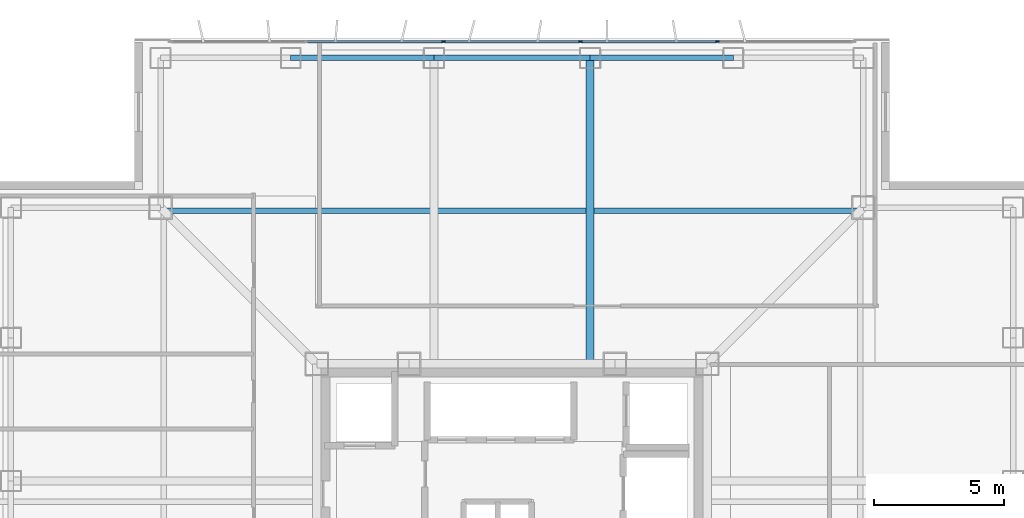
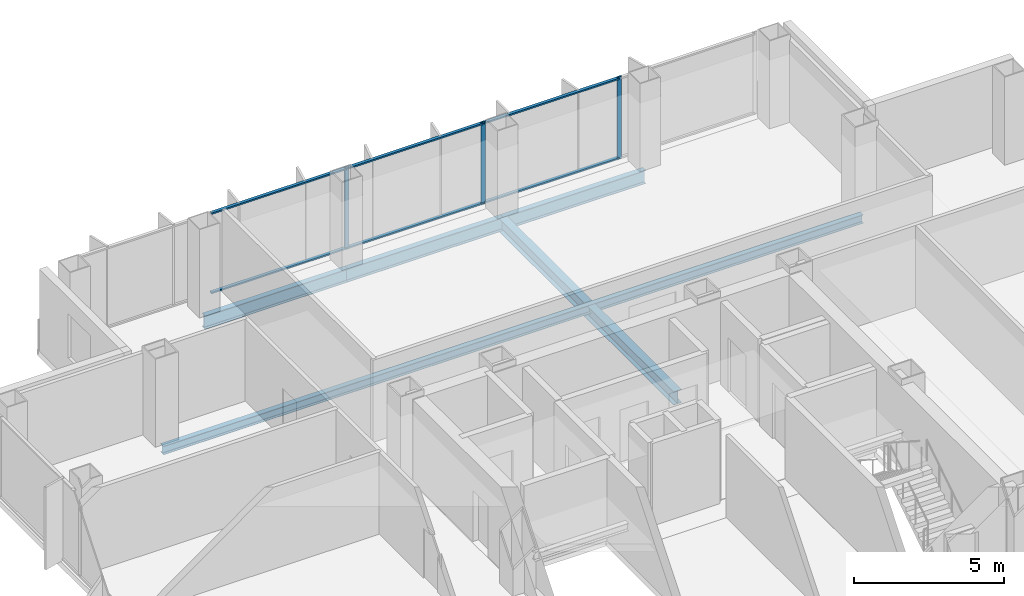
# One storey, part 8 of 15: 9 members, 5 beams, 1 element without a shape of its own.
"""IFC4 building model written with IfcOpenShell, lengths in metres."""

from ifc_helpers import new_model, si_unit, direction, frame, origin, origin_2d, place, context, subcontext, project, spatial, rectangle, i_section, extrude, material, layer, layer_set, material_profile, profile_set, type_object, element, aggregate, save


model = new_model("IFC4")

# Units and contexts
model_context = context("Model", 3, precision=1e-05, world=origin(), true_north=direction((0.0, 1.0)))
body_context = subcontext(model_context, "Body", "Model", "MODEL_VIEW")
ifc_project = project(units=[si_unit("LENGTHUNIT", "METRE"), si_unit("AREAUNIT", "SQUARE_METRE"), si_unit("VOLUMEUNIT", "CUBIC_METRE"), si_unit("PLANEANGLEUNIT", "RADIAN"), si_unit("MASSUNIT", "GRAM", prefix="KILO")], contexts=[model_context])

# Site, building, storey
site_placement = place(None, origin())
site = spatial("IfcSite", under=ifc_project, at=site_placement, CompositionType="ELEMENT")
building_placement = place(site_placement, origin())
building = spatial("IfcBuilding", under=site, at=building_placement, Name="Trevonay Congress Spire", CompositionType="ELEMENT")
storey_placement = place(building_placement, frame((0.0, 0.0, 216.60009765625)))
storey = spatial("IfcBuildingStorey", under=building, at=storey_placement, Name="L56", CompositionType="ELEMENT", Elevation=216.60009765625)

# Beams
ifc_material_1 = material(Name="Steel ASTM A572 Grade 50", Category="steel")
ifc_material_profile_1 = material_profile(ifc_material_1, i_section(OverallWidth=0.31201171875, OverallDepth=0.54296875, WebThickness=0.0126953125, FlangeThickness=0.020263671875, FilletRadius=0.014892578125, at=origin_2d()), Name="W530x150")
ifc_profile_set_1 = profile_set([ifc_material_profile_1], Name="Steel ASTM A572 Grade 50")
beam_type_1 = type_object("IfcBeamType", Name="BM-GIRD-W530X150", PredefinedType="BEAM", material=ifc_profile_set_1)
beam_1_placement = place(storey_placement, frame((3.0, 7.5, -0.51171875), z_axis=(0.0, 1.0, 0.0), x_axis=(-1.0, 0.0, 0.0)))
element("IfcBeam", 1, at=beam_1_placement, inside=storey, type_object=beam_type_1, Name="L56 structural beam BM-L56-GN-P", PredefinedType="BEAM", context=body_context, shape_type="SweptSolid", body=[
    extrude(i_section(OverallWidth=0.31201171875, OverallDepth=0.54296875, WebThickness=0.0126953125, FlangeThickness=0.020263671875, FilletRadius=0.014892578125, at=origin_2d()), origin(), (0.0, 0.0, 1.0), 11.75),
])
ifc_material_profile_2 = material_profile(ifc_material_1, i_section(OverallWidth=0.2119140625, OverallDepth=0.5439453125, WebThickness=0.01318359375, FlangeThickness=0.021240234375, FilletRadius=0.014892578125, at=origin_2d()), Name="W530x123")
ifc_profile_set_2 = profile_set([ifc_material_profile_2], Name="Steel ASTM A572 Grade 50")
beam_type_2 = type_object("IfcBeamType", Name="BM-RING-W530X123", PredefinedType="BEAM", material=ifc_profile_set_2)
beam_2_placement = place(storey_placement, frame((-8.5, 19.25, -0.51220703125), z_axis=(1.0, 0.0, 0.0), x_axis=(0.0, 1.0, 0.0)))
element("IfcBeam", 2, at=beam_2_placement, inside=storey, type_object=beam_type_2, Name="L56 structural beam BM-L56-PN2", PredefinedType="BEAM", context=body_context, shape_type="SweptSolid", body=[
    extrude(i_section(OverallWidth=0.2119140625, OverallDepth=0.5439453125, WebThickness=0.01318359375, FlangeThickness=0.021240234375, FilletRadius=0.014892578125, at=origin_2d()), origin(), (0.0, 0.0, 1.0), 5.5),
])
beam_3_placement = place(storey_placement, frame((-3.0, 19.25, -0.51220703125), z_axis=(1.0, 0.0, 0.0), x_axis=(0.0, 1.0, 0.0)))
element("IfcBeam", 3, at=beam_3_placement, inside=storey, type_object=beam_type_2, Name="L56 structural beam BM-L56-PN3", PredefinedType="BEAM", context=body_context, shape_type="SweptSolid", body=[
    extrude(i_section(OverallWidth=0.2119140625, OverallDepth=0.5439453125, WebThickness=0.01318359375, FlangeThickness=0.021240234375, FilletRadius=0.014892578125, at=origin_2d()), origin(), (0.0, 0.0, 1.0), 6.0),
])
beam_4_placement = place(storey_placement, frame((3.0, 19.25, -0.51220703125), z_axis=(1.0, 0.0, 0.0), x_axis=(0.0, 1.0, 0.0)))
element("IfcBeam", 4, at=beam_4_placement, inside=storey, type_object=beam_type_2, Name="L56 structural beam BM-L56-PN4", PredefinedType="BEAM", context=body_context, shape_type="SweptSolid", body=[
    extrude(i_section(OverallWidth=0.2119140625, OverallDepth=0.5439453125, WebThickness=0.01318359375, FlangeThickness=0.021240234375, FilletRadius=0.014892578125, at=origin_2d()), origin(), (0.0, 0.0, 1.0), 5.5),
])

# Curtain wall, members
ifc_material_2 = material(Name="Pale Anodised Aluminium EN AW-6063-T6", Category="aluminium")
ifc_layer = layer(ifc_material_2, 0.169921875, Name="Pale Anodised Aluminium EN AW-6063-T6")
ifc_layer_set = layer_set([ifc_layer], Name="Pale Anodised Aluminium EN AW-6063-T6")
curtain_wall_type = type_object("IfcCurtainWallType", Name="CW-SYS04-CORP-PALE-METAL", PredefinedType="NOTDEFINED", material=ifc_layer_set)
curtain_wall_placement = place(storey_placement, origin())
curtain_wall = element("IfcCurtainWall", 5, at=curtain_wall_placement, inside=storey, type_object=curtain_wall_type, Name="L56 N unitised curtain wall", PredefinedType="NOTDEFINED")
ifc_material_profile_3 = material_profile(ifc_material_2, rectangle(XDim=0.06005859375, YDim=0.159912109375, at=origin_2d()), Name="CW-MULLION-160-ALUMINIUM")
ifc_profile_set_3 = profile_set([ifc_material_profile_3], Name="Pale Anodised Aluminium EN AW-6063-T6")
member_type_1 = type_object("IfcMemberType", Name="CW-MULLION-160-ALUMINIUM", PredefinedType="MULLION", material=ifc_profile_set_3)
member_1_placement = place(storey_placement, frame((-2.6298828125, 19.8798828125, 0.0), z_axis=(0.0, 0.0, 1.0), x_axis=(0.0, 1.0, 0.0)))
member_1 = element("IfcMember", 6, at=member_1_placement, type_object=member_type_1, Name="CW04 mullion 3", PredefinedType="MULLION", context=body_context, shape_type="SweptSolid", body=[
    extrude(rectangle(XDim=0.06005859375, YDim=0.159912109375, at=origin_2d()), origin(), (0.0, 0.0, 1.0), 3.35986328125),
])
member_2_placement = place(storey_placement, frame((2.6298828125, 19.8798828125, 0.0), z_axis=(0.0, 0.0, 1.0), x_axis=(0.0, 1.0, 0.0)))
member_2 = element("IfcMember", 7, at=member_2_placement, type_object=member_type_1, Name="CW04 mullion 4", PredefinedType="MULLION", context=body_context, shape_type="SweptSolid", body=[
    extrude(rectangle(XDim=0.06005859375, YDim=0.159912109375, at=origin_2d()), origin(), (0.0, 0.0, 1.0), 3.35986328125),
])
member_3_placement = place(storey_placement, frame((7.889892578125, 19.8798828125, 0.0), z_axis=(0.0, 0.0, 1.0), x_axis=(0.0, 1.0, 0.0)))
member_3 = element("IfcMember", 8, at=member_3_placement, type_object=member_type_1, Name="CW04 mullion 5", PredefinedType="MULLION", context=body_context, shape_type="SweptSolid", body=[
    extrude(rectangle(XDim=0.06005859375, YDim=0.159912109375, at=origin_2d()), origin(), (0.0, 0.0, 1.0), 3.35986328125),
])
ifc_material_profile_4 = material_profile(ifc_material_2, rectangle(XDim=0.1201171875, YDim=0.06005859375, at=origin_2d()), Name="CW-TRANSOM-120-ALUMINIUM")
ifc_profile_set_4 = profile_set([ifc_material_profile_4], Name="Pale Anodised Aluminium EN AW-6063-T6")
member_type_2 = type_object("IfcMemberType", Name="CW-TRANSOM-120-ALUMINIUM", PredefinedType="USERDEFINED", material=ifc_profile_set_4)
member_4_placement = place(storey_placement, frame((-7.860107421875, 19.8798828125, 0.059814453125), z_axis=(1.0, 0.0, 0.0), x_axis=(0.0, 1.0, 0.0)))
member_4 = element("IfcMember", 9, at=member_4_placement, type_object=member_type_2, Name="CW04 transom 2.1", ObjectType="TRANSOM", PredefinedType="USERDEFINED", context=body_context, shape_type="SweptSolid", body=[
    extrude(rectangle(XDim=0.1201171875, YDim=0.06005859375, at=origin_2d()), origin(), (0.0, 0.0, 1.0), 5.2001953125),
])
member_5_placement = place(storey_placement, frame((-7.860107421875, 19.8798828125, 3.2998046875), z_axis=(1.0, 0.0, 0.0), x_axis=(0.0, 1.0, 0.0)))
member_5 = element("IfcMember", 10, at=member_5_placement, type_object=member_type_2, Name="CW04 transom 2.2", ObjectType="TRANSOM", PredefinedType="USERDEFINED", context=body_context, shape_type="SweptSolid", body=[
    extrude(rectangle(XDim=0.1201171875, YDim=0.06005859375, at=origin_2d()), origin(), (0.0, 0.0, 1.0), 5.2001953125),
])
member_6_placement = place(storey_placement, frame((-2.60009765625, 19.8798828125, 0.059814453125), z_axis=(1.0, 0.0, 0.0), x_axis=(0.0, 1.0, 0.0)))
member_6 = element("IfcMember", 11, at=member_6_placement, type_object=member_type_2, Name="CW04 transom 3.1", ObjectType="TRANSOM", PredefinedType="USERDEFINED", context=body_context, shape_type="SweptSolid", body=[
    extrude(rectangle(XDim=0.1201171875, YDim=0.06005859375, at=origin_2d()), origin(), (0.0, 0.0, 1.0), 5.2001953125),
])
member_7_placement = place(storey_placement, frame((-2.60009765625, 19.8798828125, 3.2998046875), z_axis=(1.0, 0.0, 0.0), x_axis=(0.0, 1.0, 0.0)))
member_7 = element("IfcMember", 12, at=member_7_placement, type_object=member_type_2, Name="CW04 transom 3.2", ObjectType="TRANSOM", PredefinedType="USERDEFINED", context=body_context, shape_type="SweptSolid", body=[
    extrude(rectangle(XDim=0.1201171875, YDim=0.06005859375, at=origin_2d()), origin(), (0.0, 0.0, 1.0), 5.2001953125),
])
member_8_placement = place(storey_placement, frame((2.659912109375, 19.8798828125, 0.059814453125), z_axis=(1.0, 0.0, 0.0), x_axis=(0.0, 1.0, 0.0)))
member_8 = element("IfcMember", 13, at=member_8_placement, type_object=member_type_2, Name="CW04 transom 4.1", ObjectType="TRANSOM", PredefinedType="USERDEFINED", context=body_context, shape_type="SweptSolid", body=[
    extrude(rectangle(XDim=0.1201171875, YDim=0.06005859375, at=origin_2d()), origin(), (0.0, 0.0, 1.0), 5.2001953125),
])
member_9_placement = place(storey_placement, frame((2.659912109375, 19.8798828125, 3.2998046875), z_axis=(1.0, 0.0, 0.0), x_axis=(0.0, 1.0, 0.0)))
member_9 = element("IfcMember", 14, at=member_9_placement, type_object=member_type_2, Name="CW04 transom 4.2", ObjectType="TRANSOM", PredefinedType="USERDEFINED", context=body_context, shape_type="SweptSolid", body=[
    extrude(rectangle(XDim=0.1201171875, YDim=0.06005859375, at=origin_2d()), origin(), (0.0, 0.0, 1.0), 5.2001953125),
])
aggregate(curtain_wall, [member_1, member_2, member_3, member_4, member_5, member_6, member_7, member_8, member_9])

# Beam
ifc_material_profile_5 = material_profile(ifc_material_1, i_section(OverallWidth=0.205078125, OverallDepth=0.35400390625, WebThickness=0.009521484375, FlangeThickness=0.016845703125, FilletRadius=0.011962890625, at=origin_2d()), Name="W360x79")
ifc_profile_set_5 = profile_set([ifc_material_profile_5], Name="Steel ASTM A572 Grade 50")
beam_type_3 = type_object("IfcBeamType", Name="JS-COMP-W360X79", PredefinedType="JOIST", material=ifc_profile_set_5)
beam_5_placement = place(storey_placement, frame((-13.5, 13.375, -0.4169921875), z_axis=(1.0, 0.0, 0.0), x_axis=(0.0, 1.0, 0.0)))
element("IfcBeam", 15, at=beam_5_placement, inside=storey, type_object=beam_type_3, Name="L56 structural beam JS-L56-RING-N", PredefinedType="JOIST", context=body_context, shape_type="SweptSolid", body=[
    extrude(i_section(OverallWidth=0.205078125, OverallDepth=0.35400390625, WebThickness=0.009521484375, FlangeThickness=0.016845703125, FilletRadius=0.011962890625, at=origin_2d()), origin(), (0.0, 0.0, 1.0), 27.0),
])

save(model, "model.ifc")
